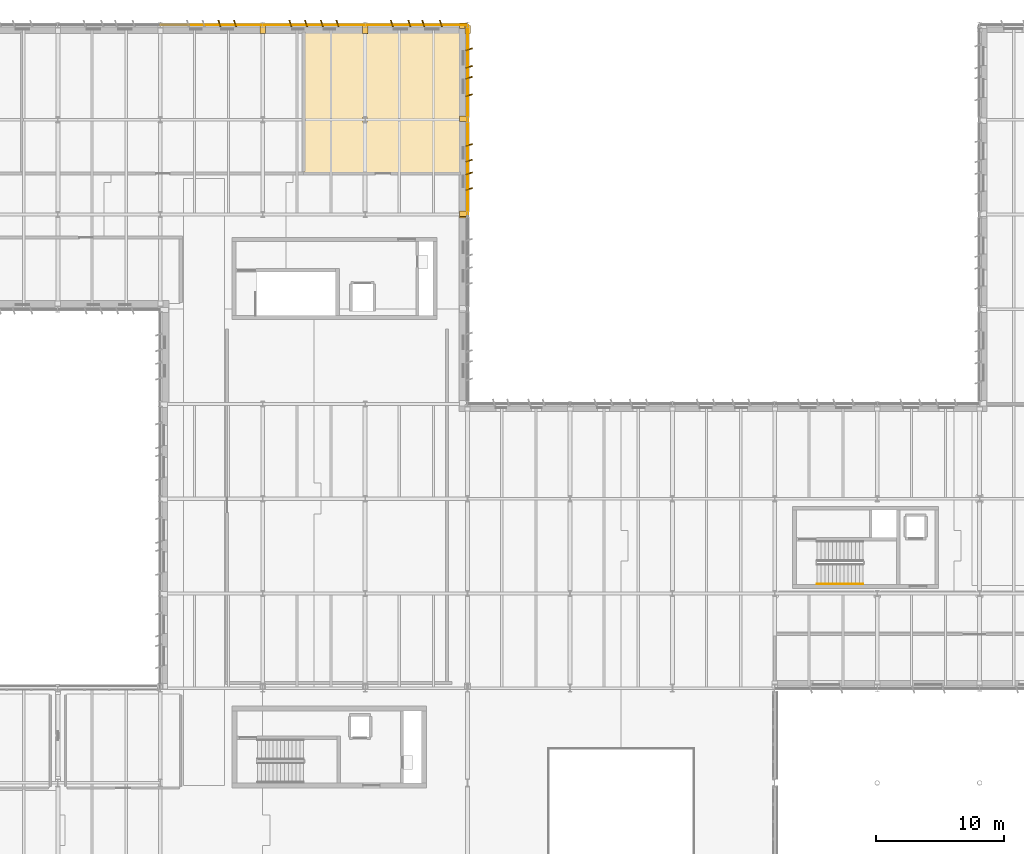
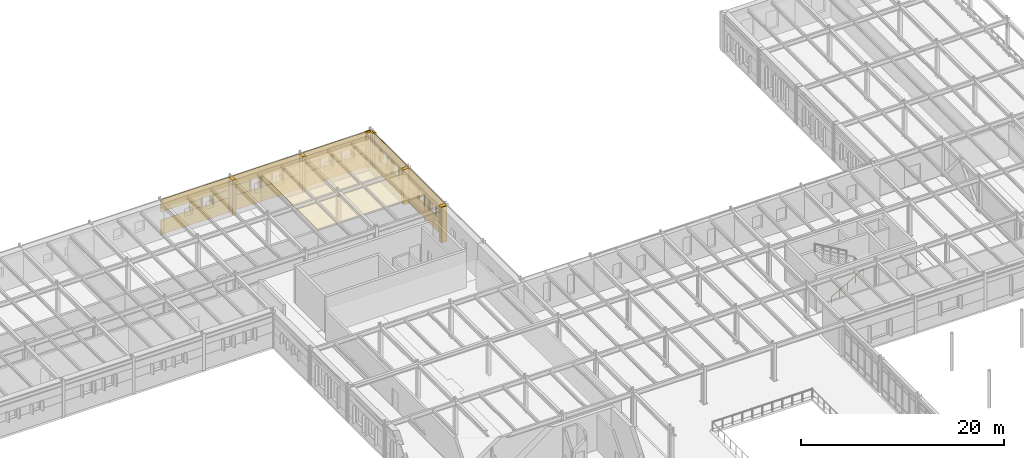
# One storey, part 65 of 75: 50 coverings, 1 railing.
"""IFC4 building model written with IfcOpenShell, lengths in metres."""

import ifcopenshell
import ifcopenshell.guid

model = None  # the IFC model being written
_history = None  # IfcOwnerHistory: only IFC2X3 demands one
_inside = {}  # id of a spatial element -> (the spatial element, [elements in it])
_under = {}  # id of a project, library or spatial element -> (it, [spatial elements below it])
_declared = {}  # id of a project -> (the project, [libraries it declares])
_typed = {}  # id of a type object -> (the type object, [elements of that type])
_made_of = {}  # id of a material, layer set ... -> (it, [elements and type objects made of it])


def new_model(schema):
    """Start an empty IFC model of exactly this schema.

    Asked for "IFC4X3", IfcOpenShell would pick the latest addendum, in which some entities
    have other attributes; the version numbers below select the first issue.
    IFC2X3 requires an IfcOwnerHistory on every rooted entity: one is made here for all.
    """
    global model, _history
    if schema == "IFC4X3":
        model = ifcopenshell.file(schema_version=(4, 3, 0, 0))
    else:
        model = ifcopenshell.file(schema=schema)
    _inside.clear()
    _under.clear()
    _declared.clear()
    _typed.clear()
    _made_of.clear()
    _history = None
    if model.schema == "IFC2X3":
        org = make("IfcOrganization", Name="unknown")
        user = make(
            "IfcPersonAndOrganization",
            ThePerson=make("IfcPerson", FamilyName="unknown"),
            TheOrganization=org,
        )
        app = make(
            "IfcApplication",
            ApplicationDeveloper=org,
            Version="unknown",
            ApplicationFullName="unknown",
            ApplicationIdentifier="unknown",
        )
        _history = make(
            "IfcOwnerHistory",
            OwningUser=user,
            OwningApplication=app,
            ChangeAction="ADDED",
            CreationDate=0,
        )
    return model


def make(cls, **values):
    """One entity of the class cls with the attributes given. An attribute that is None is left unset."""
    return model.create_entity(
        cls, **{name: value for name, value in values.items() if value is not None}
    )


def rooted(cls, **values):
    """An entity with a GlobalId (a new one), such as an element, a storey or a relation."""
    return make(cls, GlobalId=ifcopenshell.guid.new(), OwnerHistory=_history, **values)


def si_unit(unit_type, name, prefix=None):
    """IfcSIUnit, for example si_unit("LENGTHUNIT", "METRE", prefix="MILLI")."""
    return make("IfcSIUnit", UnitType=unit_type, Prefix=prefix, Name=name)


def assignment(units):
    """IfcUnitAssignment: the units of a project."""
    return None if units is None else make("IfcUnitAssignment", Units=units)


def point(xyz):
    """IfcCartesianPoint."""
    return None if xyz is None else make("IfcCartesianPoint", Coordinates=xyz)


def direction(xyz):
    """IfcDirection."""
    return None if xyz is None else make("IfcDirection", DirectionRatios=xyz)


def frame(location, z_axis=None, x_axis=None):
    """IfcAxis2Placement3D, a coordinate frame: its origin and axes. An axis left out is left unset."""
    return make(
        "IfcAxis2Placement3D",
        Location=point(location),
        Axis=direction(z_axis),
        RefDirection=direction(x_axis),
    )


def frame_2d(location, x_axis=None):
    """IfcAxis2Placement2D, a coordinate frame in the plane: its origin and x axis."""
    return make(
        "IfcAxis2Placement2D", Location=point(location), RefDirection=direction(x_axis)
    )


def origin():
    """The frame at (0, 0, 0) with its axes left unset."""
    return frame((0.0, 0.0, 0.0))


def origin_2d():
    """The frame at (0, 0) in the plane with its x axis left unset."""
    return frame_2d((0.0, 0.0))


def place(relative_to, where):
    """IfcLocalPlacement: puts the frame where relative to a parent placement (None: the world)."""
    return make(
        "IfcLocalPlacement", PlacementRelTo=relative_to, RelativePlacement=where
    )


def context(
    kind, dimensions, precision=None, world=None, true_north=None, identifier=None
):
    """IfcGeometricRepresentationContext, for example the 3D "Model" context."""
    return make(
        "IfcGeometricRepresentationContext",
        ContextIdentifier=identifier,
        ContextType=kind,
        CoordinateSpaceDimension=dimensions,
        Precision=precision,
        WorldCoordinateSystem=world,
        TrueNorth=true_north,
    )


def subcontext(parent, identifier, kind, view, scale=None):
    """IfcGeometricRepresentationSubContext, for example "Body" below "Model"."""
    return make(
        "IfcGeometricRepresentationSubContext",
        ContextIdentifier=identifier,
        ContextType=kind,
        ParentContext=parent,
        TargetScale=scale,
        TargetView=view,
    )


def project(units=None, contexts=None):
    """IfcProject with its units and contexts."""
    return rooted(
        "IfcProject",
        Name="project",
        RepresentationContexts=contexts,
        UnitsInContext=assignment(units),
    )


def spatial(cls, under=None, at=None, **own):
    """A site, building, storey or space (cls), placed at a placement, below another one or the project."""
    s = rooted(cls, ObjectPlacement=at, **own)
    if under is not None:
        _under.setdefault(under.id(), (under, []))[1].append(s)
    return s


def polyline(points):
    """IfcPolyline through the points."""
    return make("IfcPolyline", Points=[point(p) for p in points])


def profile(cls, at=None, kind="AREA", **sizes):
    """A parametric profile (cls). Its sizes go by their IFC names, for example OverallWidth=200.0."""
    return make(cls, ProfileType=kind, Position=at, **sizes)


def rectangle(**sizes):
    """IfcRectangleProfileDef."""
    return profile("IfcRectangleProfileDef", **sizes)


def circle(**sizes):
    """IfcCircleProfileDef."""
    return profile("IfcCircleProfileDef", **sizes)


def outline(outer, holes=None, kind="AREA"):
    """IfcArbitraryClosedProfileDef: a profile drawn as a closed curve; with holes, ...WithVoids."""
    if holes is None:
        return make("IfcArbitraryClosedProfileDef", ProfileType=kind, OuterCurve=outer)
    return make(
        "IfcArbitraryProfileDefWithVoids",
        ProfileType=kind,
        OuterCurve=outer,
        InnerCurves=holes,
    )


def extrude(swept, where, along, depth):
    """IfcExtrudedAreaSolid: the profile swept, set in the frame where, extruded along a direction by depth."""
    return make(
        "IfcExtrudedAreaSolid",
        SweptArea=swept,
        Position=where,
        ExtrudedDirection=direction(along),
        Depth=depth,
    )


def shape(context_of_items, identifier, shape_type, items):
    """IfcShapeRepresentation: the items that make up one representation, for example the "Body"."""
    return make(
        "IfcShapeRepresentation",
        ContextOfItems=context_of_items,
        RepresentationIdentifier=identifier,
        RepresentationType=shape_type,
        Items=items,
    )


def material(Name=None, Category=None):
    """IfcMaterial."""
    return make("IfcMaterial", Name=Name, Category=Category)


def layer(
    of_material, thickness, ventilated=None, Name=None, Category=None, Priority=None
):
    """IfcMaterialLayer: one layer of a wall or slab, of a material (None: an air gap)."""
    return make(
        "IfcMaterialLayer",
        Material=of_material,
        LayerThickness=thickness,
        IsVentilated=ventilated,
        Name=Name,
        Category=Category,
        Priority=Priority,
    )


def layer_set(layers, Name=None):
    """IfcMaterialLayerSet."""
    return make("IfcMaterialLayerSet", MaterialLayers=layers, LayerSetName=Name)


def made_of(thing, what):
    """Note that an element or type object is made of a material, layer set ...; save() writes the relation."""
    if what is not None:
        _made_of.setdefault(what.id(), (what, []))[1].append(thing)
    return thing


def type_object(cls, material=None, **own):
    """A type object (cls), such as IfcWallType, which elements share."""
    return made_of(rooted(cls, **own), material)


def element(
    cls,
    number,
    at=None,
    inside=None,
    cuts=None,
    type_object=None,
    material=None,
    context=None,
    identifier="Body",
    shape_type=None,
    held_by="IfcProductDefinitionShape",
    body=None,
    shapes=None,
    **own,
):
    """One element of the class cls, such as IfcWall. Its Tag is "e" and its number.

    at: its placement. inside: the storey or other place that contains it. cuts: it is an
    opening in that element (IfcRelVoidsElement). A single representation is given by context,
    identifier, shape_type and body (its items); several are given by shapes. held_by: the class
    of the entity that holds the representations. save() writes the other relations.
    """
    e = rooted(cls, Tag="e%d" % number, ObjectPlacement=at, **own)
    if body is not None:
        shapes = [shape(context, identifier, shape_type, body)]
    if shapes is not None:
        e.Representation = make(held_by, Representations=shapes)
    if inside is not None:
        _inside.setdefault(inside.id(), (inside, []))[1].append(e)
    if cuts is not None:
        rooted(
            "IfcRelVoidsElement", RelatingBuildingElement=cuts, RelatedOpeningElement=e
        )
    if type_object is not None:
        _typed.setdefault(type_object.id(), (type_object, []))[1].append(e)
    return made_of(e, material)


def aggregate(whole, parts):
    """IfcRelAggregates: a whole, such as a stair, and the parts it consists of."""
    return rooted("IfcRelAggregates", RelatingObject=whole, RelatedObjects=parts)


def save(model, path):
    """Write the relations noted so far, then the file.

    IfcRelAggregates (storeys below a building ...), IfcRelContainedInSpatialStructure (elements
    in a storey), IfcRelDefinesByType, IfcRelAssociatesMaterial and IfcRelDeclares: one each for
    every whole, place, type object, material and project.
    """
    for whole, parts in _under.values():
        aggregate(whole, parts)
    for where, things in _inside.values():
        rooted(
            "IfcRelContainedInSpatialStructure",
            RelatedElements=things,
            RelatingStructure=where,
        )
    for kind, things in _typed.values():
        rooted("IfcRelDefinesByType", RelatedObjects=things, RelatingType=kind)
    for what, things in _made_of.values():
        rooted("IfcRelAssociatesMaterial", RelatedObjects=things, RelatingMaterial=what)
    for by, libraries in _declared.values():
        rooted("IfcRelDeclares", RelatingContext=by, RelatedDefinitions=libraries)
    model.write(path)


model = new_model("IFC4")

# Units and contexts
model_context = context("Model", 3, precision=1e-05, world=origin(), true_north=direction((0.0, 1.0)))
body_context = subcontext(model_context, "Body", "Model", "MODEL_VIEW")
ifc_project = project(units=[si_unit("LENGTHUNIT", "METRE"), si_unit("AREAUNIT", "SQUARE_METRE"), si_unit("VOLUMEUNIT", "CUBIC_METRE"), si_unit("PLANEANGLEUNIT", "RADIAN"), si_unit("MASSUNIT", "GRAM", prefix="KILO")], contexts=[model_context])

# Site, building, storey
site_placement = place(None, origin())
site = spatial("IfcSite", under=ifc_project, at=site_placement, CompositionType="ELEMENT")
building_placement = place(site_placement, origin())
building = spatial("IfcBuilding", under=site, at=building_placement, Name="Valkorina Park Police Headquarters", CompositionType="ELEMENT")
storey_placement = place(building_placement, frame((0.0, 0.0, 5.39990234375)))
storey = spatial("IfcBuildingStorey", under=building, at=storey_placement, Name="L02", CompositionType="ELEMENT", Elevation=5.39990234375)

# Coverings
ifc_material_1 = material(Name="Acoustic mineral board")
ifc_layer_1 = layer(ifc_material_1, 0.02490234375)
ifc_layer_set_1 = layer_set([ifc_layer_1], Name="Acoustic mineral board")
covering_type_1 = type_object("IfcCoveringType", Name="COV-CEILING-ACOUST", PredefinedType="CEILING", material=ifc_layer_set_1)
covering_1_placement = place(storey_placement, frame((0.0, 0.0, 3.64501953125)))
element("IfcCovering", 1, at=covering_1_placement, inside=storey, type_object=covering_type_1, Name="Custody Monitoring and Pantry Room Acoustic Suspended Ceiling", PredefinedType="CEILING", context=body_context, shape_type="SweptSolid", body=[
    extrude(outline(polyline([(56.3583984375, 99.50439453125), (56.359619140625, 99.51220703125), (56.360107421875, 99.52001953125), (56.360107421875, 110.47998046875), (56.359619140625, 110.48779296875), (56.3583984375, 110.49560546875), (56.356689453125, 110.503173828125), (56.35400390625, 110.510498046875), (56.3505859375, 110.517578125), (56.346435546875, 110.5244140625), (56.341796875, 110.53076171875), (56.336669921875, 110.53662109375), (56.330810546875, 110.541748046875), (56.324462890625, 110.54638671875), (56.317626953125, 110.550537109375), (56.310546875, 110.553955078125), (56.30322265625, 110.556640625), (56.295654296875, 110.55859375), (56.287841796875, 110.5595703125), (56.280029296875, 110.56005859375), (44.1201171875, 110.56005859375), (44.1123046875, 110.5595703125), (44.1044921875, 110.55859375), (44.0966796875, 110.556640625), (44.08935546875, 110.553955078125), (44.082275390625, 110.550537109375), (44.07568359375, 110.54638671875), (44.069091796875, 110.541748046875), (44.0634765625, 110.53662109375), (44.05810546875, 110.53076171875), (44.053466796875, 110.5244140625), (44.04931640625, 110.517578125), (44.046142578125, 110.510498046875), (44.04345703125, 110.503173828125), (44.04150390625, 110.49560546875), (44.040283203125, 110.48779296875), (44.0400390625, 110.47998046875), (44.0400390625, 99.52001953125), (44.040283203125, 99.51220703125), (44.04150390625, 99.50439453125), (44.04345703125, 99.496826171875), (44.046142578125, 99.489501953125), (44.04931640625, 99.482421875), (44.053466796875, 99.4755859375), (44.05810546875, 99.46923828125), (44.0634765625, 99.46337890625), (44.069091796875, 99.458251953125), (44.07568359375, 99.45361328125), (44.082275390625, 99.449462890625), (44.08935546875, 99.446044921875), (44.0966796875, 99.443359375), (44.1044921875, 99.44140625), (44.1123046875, 99.4404296875), (44.1201171875, 99.43994140625), (56.280029296875, 99.43994140625), (56.287841796875, 99.4404296875), (56.295654296875, 99.44140625), (56.30322265625, 99.443359375), (56.310546875, 99.446044921875), (56.317626953125, 99.449462890625), (56.324462890625, 99.45361328125), (56.330810546875, 99.458251953125), (56.336669921875, 99.46337890625), (56.341796875, 99.46923828125), (56.346435546875, 99.4755859375), (56.3505859375, 99.482421875), (56.35400390625, 99.489501953125), (56.356689453125, 99.496826171875), (56.3583984375, 99.50439453125)]), holes=[polyline([(48.949951171875, 103.375), (48.64990234375, 103.375), (48.64990234375, 103.824951171875), (48.949951171875, 103.824951171875), (48.949951171875, 103.375)])]), origin(), (0.0, 0.0, 1.0), 0.025146484375),
])
ifc_material_2 = material(Name="Precast concrete C40/50", Category="concrete")
ifc_layer_2 = layer(ifc_material_2, 0.044921875)
ifc_layer_set_2 = layer_set([ifc_layer_2], Name="Precast concrete C40/50")
covering_type_2 = type_object("IfcCoveringType", Name="COV-CLAD-DOLOMITE", PredefinedType="CLADDING", material=ifc_layer_set_2)
covering_2_placement = place(storey_placement, frame((40.81005859375, 110.659912109375, 0.0), z_axis=(0.0, 0.0, 1.0), x_axis=(1.0, 0.0, 0.0)))
element("IfcCovering", 2, at=covering_2_placement, inside=storey, type_object=covering_type_2, Name="L02 Exterior Joint Closure Pilaster B 1168", PredefinedType="CLADDING", context=body_context, shape_type="SweptSolid", body=[
    extrude(rectangle(XDim=0.419921875, YDim=0.612060546875, at=origin_2d()), origin(), (0.0, 0.0, 1.0), 4.219970703125),
])
for number, where, z_axis, x_axis, name in (
    (3, (37.418701171875, 111.1201171875, 1.68017578125), (0.0, 0.0, 1.0), (-0.317304656405, 0.948323655206, 0.0), "Slanted 18.5-deg Precast Window Slot Fin 1171"),
    (4, (38.638916015625, 111.1201171875, 1.68017578125), (0.0, 0.0, 1.0), (-0.317304656405, 0.948323655206, 0.0), "Slanted 18.5-deg Precast Window Slot Fin 1172"),
):
    element("IfcCovering", number, at=place(storey_placement, frame(where, z_axis=z_axis, x_axis=x_axis)), inside=storey, type_object=covering_type_2, Name=name, PredefinedType="CLADDING", context=body_context, shape_type="SweptSolid", body=[
        extrude(rectangle(XDim=0.5400390625, YDim=0.090087890625, at=origin_2d()), origin(), (0.0, 0.0, 1.0), 1.139892578125),
    ])
covering_3_placement = place(storey_placement, frame((32.820068359375, 111.014892578125, 0.0), z_axis=(0.0, 0.0, 1.0), x_axis=(1.0, 0.0, 0.0)))
element("IfcCovering", 5, at=covering_3_placement, inside=storey, type_object=covering_type_2, Name="L02 Calm Concrete Base Sill Spandrel 1173", PredefinedType="CLADDING", context=body_context, shape_type="SweptSolid", body=[
    extrude(rectangle(XDim=7.9599609375, YDim=0.044921875, at=frame_2d((3.97998046875, 0.0))), origin(), (0.0, 0.0, 1.0), 1.77001953125),
])
covering_4_placement = place(storey_placement, frame((32.820068359375, 111.014892578125, 2.72998046875), z_axis=(0.0, 0.0, 1.0), x_axis=(1.0, 0.0, 0.0)))
element("IfcCovering", 6, at=covering_4_placement, inside=storey, type_object=covering_type_2, Name="L02 Calm Concrete Base Lintel Spandrel 1174", PredefinedType="CLADDING", context=body_context, shape_type="SweptSolid", body=[
    extrude(rectangle(XDim=7.9599609375, YDim=0.044921875, at=frame_2d((3.97998046875, 0.0))), origin(), (0.0, 0.0, 1.0), 1.490234375),
])
covering_5_placement = place(storey_placement, frame((36.0712890625, 111.014892578125, 1.77001953125), z_axis=(0.0, 0.0, 1.0), x_axis=(1.0, 0.0, 0.0)))
element("IfcCovering", 7, at=covering_5_placement, inside=storey, type_object=covering_type_2, Name="L02 Calm Concrete Base Slot Pier 1176", PredefinedType="CLADDING", context=body_context, shape_type="SweptSolid", body=[
    extrude(rectangle(XDim=1.45751953125, YDim=0.044921875, at=frame_2d((0.728759765625, 0.0))), origin(), (0.0, 0.0, 1.0), 0.9599609375),
])
covering_6_placement = place(storey_placement, frame((38.52880859375, 111.014892578125, 1.77001953125), z_axis=(0.0, 0.0, 1.0), x_axis=(1.0, 0.0, 0.0)))
element("IfcCovering", 8, at=covering_6_placement, inside=storey, type_object=covering_type_2, Name="L02 Calm Concrete Base Slot Pier 1177", PredefinedType="CLADDING", context=body_context, shape_type="SweptSolid", body=[
    extrude(rectangle(XDim=2.251220703125, YDim=0.044921875, at=frame_2d((1.12548828125, 0.0))), origin(), (0.0, 0.0, 1.0), 0.9599609375),
])
covering_7_placement = place(storey_placement, frame((48.81005859375, 110.659912109375, 0.0), z_axis=(0.0, 0.0, 1.0), x_axis=(1.0, 0.0, 0.0)))
element("IfcCovering", 9, at=covering_7_placement, inside=storey, type_object=covering_type_2, Name="L02 Exterior Joint Closure Pilaster B 1178", PredefinedType="CLADDING", context=body_context, shape_type="SweptSolid", body=[
    extrude(rectangle(XDim=0.419921875, YDim=0.612060546875, at=origin_2d()), origin(), (0.0, 0.0, 1.0), 4.219970703125),
])
for number, where, z_axis, x_axis, name in (
    (10, (42.961181640625, 111.1201171875, 1.68017578125), (0.0, 0.0, 1.0), (-0.317304656405, 0.948323655206, 0.0), "Slanted 18.5-deg Precast Window Slot Fin 1179"),
    (11, (44.18115234375, 111.1201171875, 1.68017578125), (0.0, 0.0, 1.0), (-0.317304656405, 0.948323655206, 0.0), "Slanted 18.5-deg Precast Window Slot Fin 1180"),
    (12, (45.418701171875, 111.1201171875, 1.68017578125), (0.0, 0.0, 1.0), (-0.317304656405, 0.948323655206, 0.0), "Slanted 18.5-deg Precast Window Slot Fin 1181"),
    (13, (46.638916015625, 111.1201171875, 1.68017578125), (0.0, 0.0, 1.0), (-0.317304656405, 0.948323655206, 0.0), "Slanted 18.5-deg Precast Window Slot Fin 1182"),
):
    element("IfcCovering", number, at=place(storey_placement, frame(where, z_axis=z_axis, x_axis=x_axis)), inside=storey, type_object=covering_type_2, Name=name, PredefinedType="CLADDING", context=body_context, shape_type="SweptSolid", body=[
        extrude(rectangle(XDim=0.5400390625, YDim=0.090087890625, at=origin_2d()), origin(), (0.0, 0.0, 1.0), 1.389892578125),
    ])
covering_8_placement = place(storey_placement, frame((40.820068359375, 111.014892578125, 0.0), z_axis=(0.0, 0.0, 1.0), x_axis=(1.0, 0.0, 0.0)))
element("IfcCovering", 14, at=covering_8_placement, inside=storey, type_object=covering_type_2, Name="L02 Calm Concrete Base Sill Spandrel 1183", PredefinedType="CLADDING", context=body_context, shape_type="SweptSolid", body=[
    extrude(rectangle(XDim=7.9599609375, YDim=0.044921875, at=frame_2d((3.97998046875, 0.0))), origin(), (0.0, 0.0, 1.0), 1.77001953125),
])
covering_9_placement = place(storey_placement, frame((40.820068359375, 111.014892578125, 2.97998046875), z_axis=(0.0, 0.0, 1.0), x_axis=(1.0, 0.0, 0.0)))
element("IfcCovering", 15, at=covering_9_placement, inside=storey, type_object=covering_type_2, Name="L02 Calm Concrete Base Lintel Spandrel 1184", PredefinedType="CLADDING", context=body_context, shape_type="SweptSolid", body=[
    extrude(rectangle(XDim=7.9599609375, YDim=0.044921875, at=frame_2d((3.97998046875, 0.0))), origin(), (0.0, 0.0, 1.0), 1.240234375),
])
covering_10_placement = place(storey_placement, frame((40.820068359375, 111.014892578125, 1.77001953125), z_axis=(0.0, 0.0, 1.0), x_axis=(1.0, 0.0, 0.0)))
element("IfcCovering", 16, at=covering_10_placement, inside=storey, type_object=covering_type_2, Name="L02 Calm Concrete Base Slot Pier 1185", PredefinedType="CLADDING", context=body_context, shape_type="SweptSolid", body=[
    extrude(rectangle(XDim=2.251220703125, YDim=0.044921875, at=frame_2d((1.12548828125, 0.0))), origin(), (0.0, 0.0, 1.0), 1.2099609375),
])
covering_11_placement = place(storey_placement, frame((44.0712890625, 111.014892578125, 1.77001953125), z_axis=(0.0, 0.0, 1.0), x_axis=(1.0, 0.0, 0.0)))
element("IfcCovering", 17, at=covering_11_placement, inside=storey, type_object=covering_type_2, Name="L02 Calm Concrete Base Slot Pier 1186", PredefinedType="CLADDING", context=body_context, shape_type="SweptSolid", body=[
    extrude(rectangle(XDim=1.45751953125, YDim=0.044921875, at=frame_2d((0.728759765625, 0.0))), origin(), (0.0, 0.0, 1.0), 1.2099609375),
])
covering_12_placement = place(storey_placement, frame((46.52880859375, 111.014892578125, 1.77001953125), z_axis=(0.0, 0.0, 1.0), x_axis=(1.0, 0.0, 0.0)))
element("IfcCovering", 18, at=covering_12_placement, inside=storey, type_object=covering_type_2, Name="L02 Calm Concrete Base Slot Pier 1187", PredefinedType="CLADDING", context=body_context, shape_type="SweptSolid", body=[
    extrude(rectangle(XDim=2.251220703125, YDim=0.044921875, at=frame_2d((1.12548828125, 0.0))), origin(), (0.0, 0.0, 1.0), 1.2099609375),
])
covering_13_placement = place(storey_placement, frame((56.81005859375, 110.659912109375, 0.0), z_axis=(0.0, 0.0, 1.0), x_axis=(1.0, 0.0, 0.0)))
element("IfcCovering", 19, at=covering_13_placement, inside=storey, type_object=covering_type_2, Name="L02 Exterior Joint Closure Pilaster B 1188", PredefinedType="CLADDING", context=body_context, shape_type="SweptSolid", body=[
    extrude(rectangle(XDim=0.419921875, YDim=0.612060546875, at=origin_2d()), origin(), (0.0, 0.0, 1.0), 4.219970703125),
])
for number, where, z_axis, x_axis, name in (
    (20, (50.88623046875, 111.1201171875, 1.68017578125), (0.0, 0.0, 1.0), (-0.317304656405, 0.948323655206, 0.0), "Slanted 18.5-deg Precast Window Slot Fin 1189"),
    (21, (52.256103515625, 111.1201171875, 1.68017578125), (0.0, 0.0, 1.0), (-0.317304656405, 0.948323655206, 0.0), "Slanted 18.5-deg Precast Window Slot Fin 1190"),
    (22, (53.34375, 111.1201171875, 1.68017578125), (0.0, 0.0, 1.0), (-0.317304656405, 0.948323655206, 0.0), "Slanted 18.5-deg Precast Window Slot Fin 1191"),
    (23, (54.7138671875, 111.1201171875, 1.68017578125), (0.0, 0.0, 1.0), (-0.317304656405, 0.948323655206, 0.0), "Slanted 18.5-deg Precast Window Slot Fin 1192"),
):
    element("IfcCovering", number, at=place(storey_placement, frame(where, z_axis=z_axis, x_axis=x_axis)), inside=storey, type_object=covering_type_2, Name=name, PredefinedType="CLADDING", context=body_context, shape_type="SweptSolid", body=[
        extrude(rectangle(XDim=0.5400390625, YDim=0.090087890625, at=origin_2d()), origin(), (0.0, 0.0, 1.0), 1.18994140625),
    ])
covering_14_placement = place(storey_placement, frame((48.820068359375, 111.014892578125, 0.0), z_axis=(0.0, 0.0, 1.0), x_axis=(1.0, 0.0, 0.0)))
element("IfcCovering", 24, at=covering_14_placement, inside=storey, type_object=covering_type_2, Name="L02 Calm Concrete Base Sill Spandrel 1193", PredefinedType="CLADDING", context=body_context, shape_type="SweptSolid", body=[
    extrude(rectangle(XDim=7.9599609375, YDim=0.044921875, at=frame_2d((3.97998046875, 0.0))), origin(), (0.0, 0.0, 1.0), 1.77001953125),
])
covering_15_placement = place(storey_placement, frame((48.820068359375, 111.014892578125, 2.780029296875), z_axis=(0.0, 0.0, 1.0), x_axis=(1.0, 0.0, 0.0)))
element("IfcCovering", 25, at=covering_15_placement, inside=storey, type_object=covering_type_2, Name="L02 Calm Concrete Base Lintel Spandrel 1194", PredefinedType="CLADDING", context=body_context, shape_type="SweptSolid", body=[
    extrude(rectangle(XDim=7.9599609375, YDim=0.044921875, at=frame_2d((3.97998046875, 0.0))), origin(), (0.0, 0.0, 1.0), 1.440185546875),
])
covering_16_placement = place(storey_placement, frame((48.820068359375, 111.014892578125, 1.77001953125), z_axis=(0.0, 0.0, 1.0), x_axis=(1.0, 0.0, 0.0)))
element("IfcCovering", 26, at=covering_16_placement, inside=storey, type_object=covering_type_2, Name="L02 Calm Concrete Base Slot Pier 1195", PredefinedType="CLADDING", context=body_context, shape_type="SweptSolid", body=[
    extrude(rectangle(XDim=2.176025390625, YDim=0.044921875, at=frame_2d((1.087890625, 0.0))), origin(), (0.0, 0.0, 1.0), 1.010009765625),
])
covering_17_placement = place(storey_placement, frame((52.146240234375, 111.014892578125, 1.77001953125), z_axis=(0.0, 0.0, 1.0), x_axis=(1.0, 0.0, 0.0)))
element("IfcCovering", 27, at=covering_17_placement, inside=storey, type_object=covering_type_2, Name="L02 Calm Concrete Base Slot Pier 1196", PredefinedType="CLADDING", context=body_context, shape_type="SweptSolid", body=[
    extrude(rectangle(XDim=1.3076171875, YDim=0.044921875, at=frame_2d((0.65380859375, 0.0))), origin(), (0.0, 0.0, 1.0), 1.010009765625),
])
covering_18_placement = place(storey_placement, frame((54.603759765625, 111.014892578125, 1.77001953125), z_axis=(0.0, 0.0, 1.0), x_axis=(1.0, 0.0, 0.0)))
element("IfcCovering", 28, at=covering_18_placement, inside=storey, type_object=covering_type_2, Name="L02 Calm Concrete Base Slot Pier 1197", PredefinedType="CLADDING", context=body_context, shape_type="SweptSolid", body=[
    extrude(rectangle(XDim=2.17626953125, YDim=0.044921875, at=frame_2d((1.088134765625, 0.0))), origin(), (0.0, 0.0, 1.0), 1.010009765625),
])
for number, where, z_axis, x_axis, name in (
    (29, (56.4599609375, 110.93505859375, 0.0), (0.0, 0.0, 1.0), (0.0, 1.0, 0.0), "L02 Exterior Joint Closure Pilaster A 1198"),
    (30, (56.4599609375, 103.6650390625, 0.0), (0.0, 0.0, 1.0), (0.0, 1.0, 0.0), "L02 Exterior Joint Closure Pilaster B 1199"),
):
    element("IfcCovering", number, at=place(storey_placement, frame(where, z_axis=z_axis, x_axis=x_axis)), inside=storey, type_object=covering_type_2, Name=name, PredefinedType="CLADDING", context=body_context, shape_type="SweptSolid", body=[
        extrude(rectangle(XDim=0.419921875, YDim=0.612060546875, at=origin_2d()), origin(), (0.0, 0.0, 1.0), 4.219970703125),
    ])
for number, where, z_axis, x_axis, name in (
    (31, (56.919921875, 109.09375, 1.68017578125), (0.0, 0.0, 1.0), (0.948323655206, 0.317304656405, 0.0), "Slanted 18.5-deg Precast Window Slot Fin 1200"),
    (32, (56.919921875, 107.723876953125, 1.68017578125), (0.0, 0.0, 1.0), (0.948323655206, 0.317304656405, 0.0), "Slanted 18.5-deg Precast Window Slot Fin 1201"),
    (33, (56.919921875, 106.876220703125, 1.68017578125), (0.0, 0.0, 1.0), (0.948323655206, 0.317304656405, 0.0), "Slanted 18.5-deg Precast Window Slot Fin 1202"),
    (34, (56.919921875, 105.506103515625, 1.68017578125), (0.0, 0.0, 1.0), (0.948323655206, 0.317304656405, 0.0), "Slanted 18.5-deg Precast Window Slot Fin 1203"),
):
    element("IfcCovering", number, at=place(storey_placement, frame(where, z_axis=z_axis, x_axis=x_axis)), inside=storey, type_object=covering_type_2, Name=name, PredefinedType="CLADDING", context=body_context, shape_type="SweptSolid", body=[
        extrude(rectangle(XDim=0.5400390625, YDim=0.090087890625, at=origin_2d()), origin(), (0.0, 0.0, 1.0), 1.43994140625),
    ])
covering_19_placement = place(storey_placement, frame((56.81494140625, 110.97998046875, 0.0), z_axis=(0.0, 0.0, 1.0), x_axis=(0.0, -1.0, 0.0)))
element("IfcCovering", 35, at=covering_19_placement, inside=storey, type_object=covering_type_2, Name="L02 Calm Concrete Base Sill Spandrel 1204", PredefinedType="CLADDING", context=body_context, shape_type="SweptSolid", body=[
    extrude(rectangle(XDim=7.35986328125, YDim=0.044921875, at=frame_2d((3.679931640625, 0.0))), origin(), (0.0, 0.0, 1.0), 1.77001953125),
])
covering_20_placement = place(storey_placement, frame((56.81494140625, 110.97998046875, 3.030029296875), z_axis=(0.0, 0.0, 1.0), x_axis=(0.0, -1.0, 0.0)))
element("IfcCovering", 36, at=covering_20_placement, inside=storey, type_object=covering_type_2, Name="L02 Calm Concrete Base Lintel Spandrel 1205", PredefinedType="CLADDING", context=body_context, shape_type="SweptSolid", body=[
    extrude(rectangle(XDim=7.35986328125, YDim=0.044921875, at=frame_2d((3.679931640625, 0.0))), origin(), (0.0, 0.0, 1.0), 1.190185546875),
])
covering_21_placement = place(storey_placement, frame((56.81494140625, 110.97998046875, 1.77001953125), z_axis=(0.0, 0.0, 1.0), x_axis=(0.0, -1.0, 0.0)))
element("IfcCovering", 37, at=covering_21_placement, inside=storey, type_object=covering_type_2, Name="L02 Calm Concrete Base Slot Pier 1206", PredefinedType="CLADDING", context=body_context, shape_type="SweptSolid", body=[
    extrude(rectangle(XDim=1.99609375, YDim=0.044921875, at=frame_2d((0.998046875, 0.0))), origin(), (0.0, 0.0, 1.0), 1.260009765625),
])
covering_22_placement = place(storey_placement, frame((56.81494140625, 107.833740234375, 1.77001953125), z_axis=(0.0, 0.0, 1.0), x_axis=(0.0, -1.0, 0.0)))
element("IfcCovering", 38, at=covering_22_placement, inside=storey, type_object=covering_type_2, Name="L02 Calm Concrete Base Slot Pier 1207", PredefinedType="CLADDING", context=body_context, shape_type="SweptSolid", body=[
    extrude(rectangle(XDim=1.067626953125, YDim=0.044921875, at=frame_2d((0.53369140625, 0.0))), origin(), (0.0, 0.0, 1.0), 1.260009765625),
])
covering_23_placement = place(storey_placement, frame((56.81494140625, 105.6162109375, 1.77001953125), z_axis=(0.0, 0.0, 1.0), x_axis=(0.0, -1.0, 0.0)))
element("IfcCovering", 39, at=covering_23_placement, inside=storey, type_object=covering_type_2, Name="L02 Calm Concrete Base Slot Pier 1208", PredefinedType="CLADDING", context=body_context, shape_type="SweptSolid", body=[
    extrude(rectangle(XDim=1.99609375, YDim=0.044921875, at=frame_2d((0.998046875, 0.0))), origin(), (0.0, 0.0, 1.0), 1.260009765625),
])
covering_24_placement = place(storey_placement, frame((56.4599609375, 96.264892578125, 0.0), z_axis=(0.0, 0.0, 1.0), x_axis=(0.0, 1.0, 0.0)))
element("IfcCovering", 40, at=covering_24_placement, inside=storey, type_object=covering_type_2, Name="L02 Exterior Joint Closure Pilaster B 1209", PredefinedType="CLADDING", context=body_context, shape_type="SweptSolid", body=[
    extrude(rectangle(XDim=0.419921875, YDim=0.612060546875, at=origin_2d()), origin(), (0.0, 0.0, 1.0), 4.219970703125),
])
for number, where, z_axis, x_axis, name in (
    (41, (56.919921875, 101.618896484375, 1.68017578125), (0.0, 0.0, 1.0), (0.948323655206, 0.317304656405, 0.0), "Slanted 18.5-deg Precast Window Slot Fin 1210"),
    (42, (56.919921875, 100.398681640625, 1.68017578125), (0.0, 0.0, 1.0), (0.948323655206, 0.317304656405, 0.0), "Slanted 18.5-deg Precast Window Slot Fin 1211"),
    (43, (56.919921875, 99.401123046875, 1.68017578125), (0.0, 0.0, 1.0), (0.948323655206, 0.317304656405, 0.0), "Slanted 18.5-deg Precast Window Slot Fin 1212"),
    (44, (56.919921875, 98.18115234375, 1.68017578125), (0.0, 0.0, 1.0), (0.948323655206, 0.317304656405, 0.0), "Slanted 18.5-deg Precast Window Slot Fin 1213"),
):
    element("IfcCovering", number, at=place(storey_placement, frame(where, z_axis=z_axis, x_axis=x_axis)), inside=storey, type_object=covering_type_2, Name=name, PredefinedType="CLADDING", context=body_context, shape_type="SweptSolid", body=[
        extrude(rectangle(XDim=0.5400390625, YDim=0.090087890625, at=origin_2d()), origin(), (0.0, 0.0, 1.0), 1.139892578125),
    ])
covering_25_placement = place(storey_placement, frame((56.81494140625, 103.580078125, 0.0), z_axis=(0.0, 0.0, 1.0), x_axis=(0.0, -1.0, 0.0)))
element("IfcCovering", 45, at=covering_25_placement, inside=storey, type_object=covering_type_2, Name="L02 Calm Concrete Base Sill Spandrel 1214", PredefinedType="CLADDING", context=body_context, shape_type="SweptSolid", body=[
    extrude(rectangle(XDim=7.360107421875, YDim=0.044921875, at=frame_2d((3.68017578125, 0.0))), origin(), (0.0, 0.0, 1.0), 1.77001953125),
])
covering_26_placement = place(storey_placement, frame((56.81494140625, 103.580078125, 2.72998046875), z_axis=(0.0, 0.0, 1.0), x_axis=(0.0, -1.0, 0.0)))
element("IfcCovering", 46, at=covering_26_placement, inside=storey, type_object=covering_type_2, Name="L02 Calm Concrete Base Lintel Spandrel 1215", PredefinedType="CLADDING", context=body_context, shape_type="SweptSolid", body=[
    extrude(rectangle(XDim=7.360107421875, YDim=0.044921875, at=frame_2d((3.68017578125, 0.0))), origin(), (0.0, 0.0, 1.0), 1.490234375),
])
covering_27_placement = place(storey_placement, frame((56.81494140625, 103.580078125, 1.77001953125), z_axis=(0.0, 0.0, 1.0), x_axis=(0.0, -1.0, 0.0)))
element("IfcCovering", 47, at=covering_27_placement, inside=storey, type_object=covering_type_2, Name="L02 Calm Concrete Base Slot Pier 1216", PredefinedType="CLADDING", context=body_context, shape_type="SweptSolid", body=[
    extrude(rectangle(XDim=2.0712890625, YDim=0.044921875, at=frame_2d((1.03564453125, 0.0))), origin(), (0.0, 0.0, 1.0), 0.9599609375),
])
covering_28_placement = place(storey_placement, frame((56.81494140625, 100.5087890625, 1.77001953125), z_axis=(0.0, 0.0, 1.0), x_axis=(0.0, -1.0, 0.0)))
element("IfcCovering", 48, at=covering_28_placement, inside=storey, type_object=covering_type_2, Name="L02 Calm Concrete Base Slot Pier 1217", PredefinedType="CLADDING", context=body_context, shape_type="SweptSolid", body=[
    extrude(rectangle(XDim=1.217529296875, YDim=0.044921875, at=frame_2d((0.60888671875, 0.0))), origin(), (0.0, 0.0, 1.0), 0.9599609375),
])
covering_29_placement = place(storey_placement, frame((56.81494140625, 98.291259765625, 1.77001953125), z_axis=(0.0, 0.0, 1.0), x_axis=(0.0, -1.0, 0.0)))
element("IfcCovering", 49, at=covering_29_placement, inside=storey, type_object=covering_type_2, Name="L02 Calm Concrete Base Slot Pier 1218", PredefinedType="CLADDING", context=body_context, shape_type="SweptSolid", body=[
    extrude(rectangle(XDim=2.0712890625, YDim=0.044921875, at=frame_2d((1.03564453125, 0.0))), origin(), (0.0, 0.0, 1.0), 0.9599609375),
])
covering_30_placement = place(storey_placement, frame((56.4599609375, 96.135009765625, 0.0), z_axis=(0.0, 0.0, 1.0), x_axis=(0.0, 1.0, 0.0)))
element("IfcCovering", 50, at=covering_30_placement, inside=storey, type_object=covering_type_2, Name="L02 Exterior Joint Closure Pilaster A 1219", PredefinedType="CLADDING", context=body_context, shape_type="SweptSolid", body=[
    extrude(rectangle(XDim=0.419921875, YDim=0.612060546875, at=origin_2d()), origin(), (0.0, 0.0, 1.0), 4.219970703125),
])

# Railing
ifc_material_3 = material(Name="Stainless steel EN 1.4404", Category="steel")
railing_type = type_object("IfcRailingType", Name="RL-HANDRAIL-900", PredefinedType="HANDRAIL", material=ifc_material_3)
railing_placement = place(storey_placement, frame((84.10009765625, 67.35009765625, 0.173095703125)))
element("IfcRailing", 51, at=railing_placement, inside=storey, type_object=railing_type, Name="L02 Core C6 Stair Handrail 1", PredefinedType="HANDRAIL", context=body_context, shape_type="SweptSolid", body=[
    extrude(circle(Radius=0.02392578125, at=origin_2d()), frame((0.0, 0.0, 0.8759765625), z_axis=(0.866178740119, 0.0, 0.499734319579), x_axis=(0.0, 1.0, 0.0)), (0.0, 0.0, 1.0), 4.156005859375),
    extrude(circle(Radius=0.02099609375, at=origin_2d()), origin(), (0.0, 0.0, 1.0), 0.851806640625),
    extrude(circle(Radius=0.02099609375, at=origin_2d()), frame((0.89990234375, 0.0, 0.519287109375)), (0.0, 0.0, 1.0), 0.851806640625),
    extrude(circle(Radius=0.02099609375, at=origin_2d()), frame((1.7998046875, 0.0, 1.03857421875)), (0.0, 0.0, 1.0), 0.851806640625),
    extrude(circle(Radius=0.02099609375, at=origin_2d()), frame((2.699951171875, 0.0, 1.5576171875)), (0.0, 0.0, 1.0), 0.851806640625),
    extrude(circle(Radius=0.02099609375, at=origin_2d()), frame((3.599853515625, 0.0, 2.076904296875)), (0.0, 0.0, 1.0), 0.851806640625),
])

save(model, "model.ifc")
